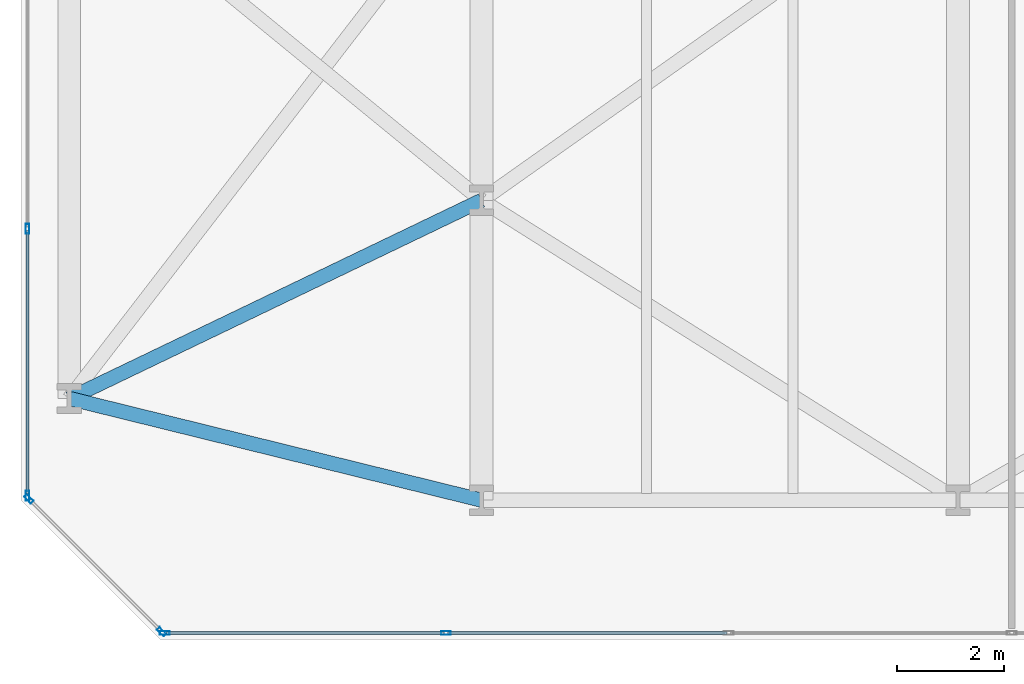
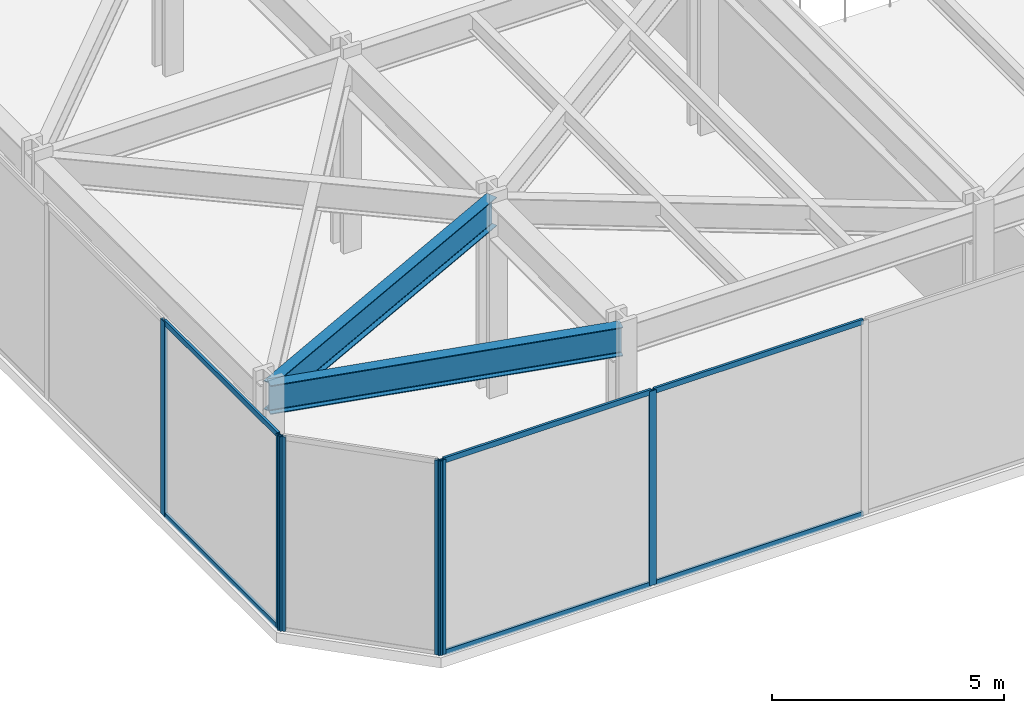
# One storey, part 2 of 29: 12 members, 2 beams, 3 elements without a shape of their own.
"""IFC4 building model written with IfcOpenShell, lengths in metres."""

from ifc_helpers import new_model, si_unit, direction, frame, origin, origin_2d, place, context, subcontext, project, spatial, hollow_rectangle, i_section, extrude, material, layer, layer_set, material_profile, profile_set, type_object, element, aggregate, save


model = new_model("IFC4")

# Units and contexts
model_context = context("Model", 3, precision=1e-05, world=origin(), true_north=direction((0.0, 1.0)))
body_context = subcontext(model_context, "Body", "Model", "MODEL_VIEW")
ifc_project = project(units=[si_unit("LENGTHUNIT", "METRE"), si_unit("AREAUNIT", "SQUARE_METRE"), si_unit("VOLUMEUNIT", "CUBIC_METRE"), si_unit("PLANEANGLEUNIT", "RADIAN"), si_unit("MASSUNIT", "GRAM", prefix="KILO")], contexts=[model_context])

# Site, building, storey
site_placement = place(None, origin())
site = spatial("IfcSite", under=ifc_project, at=site_placement, CompositionType="ELEMENT")
building_placement = place(site_placement, origin())
building = spatial("IfcBuilding", under=site, at=building_placement, Name="Kravanh Interchange Tower", CompositionType="ELEMENT")
storey_placement = place(building_placement, frame((0.0, 0.0, 5.39990234375)))
storey = spatial("IfcBuildingStorey", under=building, at=storey_placement, Name="L01", CompositionType="ELEMENT", Elevation=5.39990234375)

# Curtain wall, members
ifc_material_1 = material(Name="Anodised Bronze Aluminium", Category="aluminium")
ifc_layer = layer(ifc_material_1, 0.179931640625)
ifc_layer_set = layer_set([ifc_layer], Name="Unitised Curtain Wall System CW-POD Podium Concourse")
curtain_wall_type = type_object("IfcCurtainWallType", Name="Unitised Curtain Wall System CW-POD Podium Concourse", PredefinedType="NOTDEFINED", material=ifc_layer_set)
curtain_wall_1_placement = place(storey_placement, origin())
curtain_wall_1 = element("IfcCurtainWall", 1, at=curtain_wall_1_placement, inside=storey, type_object=curtain_wall_type, Name="L01 Unitised Curtain Wall CW-L01-01", PredefinedType="NOTDEFINED")
ifc_material_2 = material(Name="Anodised Bronze Aluminium", Category="aluminium")
ifc_material_profile_1 = material_profile(ifc_material_2, hollow_rectangle(XDim=0.070068359375, YDim=0.179931640625, WallThickness=0.00390625, at=origin_2d()), Name="ALU70X180X4")
ifc_profile_set_1 = profile_set([ifc_material_profile_1], Name="Anodised Bronze Aluminium")
member_type_1 = type_object("IfcMemberType", Name="Curtain Wall Mullion ALU70X180X4 Bronze", PredefinedType="MULLION", material=ifc_profile_set_1)
member_1_placement = place(storey_placement, frame((0.1201171875, 2.684814453125, 0.0), z_axis=(0.0, 0.0, 1.0), x_axis=(-1.0, 0.0, 0.0)))
member_1 = element("IfcMember", 2, at=member_1_placement, type_object=member_type_1, Name="CW-POD mullion 1", PredefinedType="MULLION", context=body_context, shape_type="SweptSolid", body=[
    extrude(hollow_rectangle(XDim=0.070068359375, YDim=0.179931640625, WallThickness=0.00390625, at=origin_2d()), origin(), (0.0, 0.0, 1.0), 5.130126953125),
])
member_2_placement = place(storey_placement, frame((0.1201171875, 7.671142578125, 0.0), z_axis=(0.0, 0.0, 1.0), x_axis=(-1.0, 0.0, 0.0)))
member_2 = element("IfcMember", 3, at=member_2_placement, type_object=member_type_1, Name="CW-POD mullion 2", PredefinedType="MULLION", context=body_context, shape_type="SweptSolid", body=[
    extrude(hollow_rectangle(XDim=0.070068359375, YDim=0.179931640625, WallThickness=0.00390625, at=origin_2d()), origin(), (0.0, 0.0, 1.0), 5.130126953125),
])

curtain_wall_2_placement = place(storey_placement, origin())
curtain_wall_2 = element("IfcCurtainWall", 4, at=curtain_wall_2_placement, inside=storey, type_object=curtain_wall_type, Name="L01 Unitised Curtain Wall CW-L01-04", PredefinedType="NOTDEFINED")
member_3_placement = place(storey_placement, frame((7.934326171875, 0.1201171875, 0.0), z_axis=(0.0, 0.0, 1.0), x_axis=(0.0, -1.0, 0.0)))
member_3 = element("IfcMember", 5, at=member_3_placement, type_object=member_type_1, Name="CW-POD mullion 13", PredefinedType="MULLION", context=body_context, shape_type="SweptSolid", body=[
    extrude(hollow_rectangle(XDim=0.070068359375, YDim=0.179931640625, WallThickness=0.00390625, at=origin_2d()), origin(), (0.0, 0.0, 1.0), 5.130126953125),
])
member_4_placement = place(storey_placement, frame((2.684814453125, 0.1201171875, 0.0), z_axis=(0.0, 0.0, 1.0), x_axis=(0.0, -1.0, 0.0)))
member_4 = element("IfcMember", 6, at=member_4_placement, type_object=member_type_1, Name="CW-POD mullion 14", PredefinedType="MULLION", context=body_context, shape_type="SweptSolid", body=[
    extrude(hollow_rectangle(XDim=0.070068359375, YDim=0.179931640625, WallThickness=0.00390625, at=origin_2d()), origin(), (0.0, 0.0, 1.0), 5.130126953125),
])

curtain_wall_3_placement = place(storey_placement, origin())
curtain_wall_3 = element("IfcCurtainWall", 7, at=curtain_wall_3_placement, inside=storey, type_object=curtain_wall_type, Name="L01 Unitised Curtain Wall CW-L01-05", PredefinedType="NOTDEFINED")
member_5_placement = place(storey_placement, frame((2.625, 0.144775390625, 0.0), z_axis=(0.0, 0.0, 1.0), x_axis=(-0.707106781187, -0.707106781187, 0.0)))
member_5 = element("IfcMember", 8, at=member_5_placement, type_object=member_type_1, Name="CW-POD mullion 1", PredefinedType="MULLION", context=body_context, shape_type="SweptSolid", body=[
    extrude(hollow_rectangle(XDim=0.070068359375, YDim=0.179931640625, WallThickness=0.00390625, at=origin_2d()), origin(), (0.0, 0.0, 1.0), 5.130126953125),
])
member_6_placement = place(storey_placement, frame((0.144775390625, 2.625, 0.0), z_axis=(0.0, 0.0, 1.0), x_axis=(-0.707106781187, -0.707106781187, 0.0)))
member_6 = element("IfcMember", 9, at=member_6_placement, type_object=member_type_1, Name="CW-POD mullion 2", PredefinedType="MULLION", context=body_context, shape_type="SweptSolid", body=[
    extrude(hollow_rectangle(XDim=0.070068359375, YDim=0.179931640625, WallThickness=0.00390625, at=origin_2d()), origin(), (0.0, 0.0, 1.0), 5.130126953125),
])
aggregate(curtain_wall_3, [member_5, member_6])

# Member
ifc_material_3 = material(Name="Anodised Bronze Aluminium", Category="aluminium")
ifc_material_profile_2 = material_profile(ifc_material_3, hollow_rectangle(XDim=0.06005859375, YDim=0.139892578125, WallThickness=0.00390625, at=origin_2d()), Name="ALU60X140X4")
ifc_profile_set_2 = profile_set([ifc_material_profile_2], Name="Anodised Bronze Aluminium")
member_type_2 = type_object("IfcMemberType", Name="Curtain Wall Transom ALU60X140X4 Bronze", PredefinedType="USERDEFINED", material=ifc_profile_set_2)
member_7_placement = place(storey_placement, frame((0.1201171875, 2.7197265625, 0.030029296875), z_axis=(0.0, 1.0, 0.0), x_axis=(-1.0, 0.0, 0.0)))
member_7 = element("IfcMember", 10, at=member_7_placement, type_object=member_type_2, Name="CW-POD transom 1.1", ObjectType="TRANSOM", PredefinedType="USERDEFINED", context=body_context, shape_type="SweptSolid", body=[
    extrude(hollow_rectangle(XDim=0.06005859375, YDim=0.139892578125, WallThickness=0.00390625, at=origin_2d()), origin(), (0.0, 0.0, 1.0), 4.91650390625),
])

member_8_placement = place(storey_placement, frame((0.1201171875, 2.7197265625, 5.10009765625), z_axis=(0.0, 1.0, 0.0), x_axis=(-1.0, 0.0, 0.0)))
member_8 = element("IfcMember", 11, at=member_8_placement, type_object=member_type_2, Name="CW-POD transom 1.2", ObjectType="TRANSOM", PredefinedType="USERDEFINED", context=body_context, shape_type="SweptSolid", body=[
    extrude(hollow_rectangle(XDim=0.06005859375, YDim=0.139892578125, WallThickness=0.00390625, at=origin_2d()), origin(), (0.0, 0.0, 1.0), 4.91650390625),
])

aggregate(curtain_wall_1, [member_1, member_2, member_7, member_8])

member_9_placement = place(storey_placement, frame((13.18408203125, 0.1201171875, 0.030029296875), z_axis=(-1.0, 0.0, 0.0), x_axis=(0.0, -1.0, 0.0)))
member_9 = element("IfcMember", 12, at=member_9_placement, type_object=member_type_2, Name="CW-POD transom 12.1", ObjectType="TRANSOM", PredefinedType="USERDEFINED", context=body_context, shape_type="SweptSolid", body=[
    extrude(hollow_rectangle(XDim=0.06005859375, YDim=0.139892578125, WallThickness=0.00390625, at=origin_2d()), origin(), (0.0, 0.0, 1.0), 5.214599609375),
])

member_10_placement = place(storey_placement, frame((13.18408203125, 0.1201171875, 5.10009765625), z_axis=(-1.0, 0.0, 0.0), x_axis=(0.0, -1.0, 0.0)))
member_10 = element("IfcMember", 13, at=member_10_placement, type_object=member_type_2, Name="CW-POD transom 12.2", ObjectType="TRANSOM", PredefinedType="USERDEFINED", context=body_context, shape_type="SweptSolid", body=[
    extrude(hollow_rectangle(XDim=0.06005859375, YDim=0.139892578125, WallThickness=0.00390625, at=origin_2d()), origin(), (0.0, 0.0, 1.0), 5.214599609375),
])

member_11_placement = place(storey_placement, frame((7.8994140625, 0.1201171875, 0.030029296875), z_axis=(-1.0, 0.0, 0.0), x_axis=(0.0, -1.0, 0.0)))
member_11 = element("IfcMember", 14, at=member_11_placement, type_object=member_type_2, Name="CW-POD transom 13.1", ObjectType="TRANSOM", PredefinedType="USERDEFINED", context=body_context, shape_type="SweptSolid", body=[
    extrude(hollow_rectangle(XDim=0.06005859375, YDim=0.139892578125, WallThickness=0.00390625, at=origin_2d()), origin(), (0.0, 0.0, 1.0), 5.1796875),
])

member_12_placement = place(storey_placement, frame((7.8994140625, 0.1201171875, 5.10009765625), z_axis=(-1.0, 0.0, 0.0), x_axis=(0.0, -1.0, 0.0)))
member_12 = element("IfcMember", 15, at=member_12_placement, type_object=member_type_2, Name="CW-POD transom 13.2", ObjectType="TRANSOM", PredefinedType="USERDEFINED", context=body_context, shape_type="SweptSolid", body=[
    extrude(hollow_rectangle(XDim=0.06005859375, YDim=0.139892578125, WallThickness=0.00390625, at=origin_2d()), origin(), (0.0, 0.0, 1.0), 5.1796875),
])

aggregate(curtain_wall_2, [member_3, member_4, member_9, member_10, member_11, member_12])

# Beams
ifc_material_4 = material(Name="Structural Steel S355", Category="steel")
ifc_material_profile_3 = material_profile(ifc_material_4, i_section(OverallWidth=0.26708984375, OverallDepth=0.761962890625, WebThickness=0.014404296875, FlangeThickness=0.021484375, FilletRadius=0.02490234375, at=origin_2d()), Name="W30X116")
ifc_profile_set_3 = profile_set([ifc_material_profile_3], Name="Structural Steel S355")
beam_type = type_object("IfcBeamType", Name="Floor Spandrel W30X116 Structural Steel S355", PredefinedType="SPANDREL", material=ifc_profile_set_3)
beam_1_placement = place(storey_placement, frame((8.60009765625, 2.60009765625, 4.7490234375), z_axis=(-0.970883936595, 0.239550373956, 0.0), x_axis=(-0.239550373956, -0.970883936595, 0.0)))
element("IfcBeam", 16, at=beam_1_placement, inside=storey, type_object=beam_type, Name="L01 Perimeter Spandrel 2", PredefinedType="SPANDREL", context=body_context, shape_type="SweptSolid", body=[
    extrude(i_section(OverallWidth=0.26708984375, OverallDepth=0.761962890625, WebThickness=0.014404296875, FlangeThickness=0.021484375, FilletRadius=0.02490234375, at=origin_2d()), origin(), (0.0, 0.0, 1.0), 7.93115234375),
])
beam_2_placement = place(storey_placement, frame((8.60009765625, 8.199951171875, 4.7490234375), z_axis=(-0.901346832937, -0.433098010563, 0.0), x_axis=(0.433098010563, -0.901346832937, 0.0)))
element("IfcBeam", 17, at=beam_2_placement, inside=storey, type_object=beam_type, Name="L01 Perimeter Spandrel 24", PredefinedType="SPANDREL", context=body_context, shape_type="SweptSolid", body=[
    extrude(i_section(OverallWidth=0.26708984375, OverallDepth=0.761962890625, WebThickness=0.014404296875, FlangeThickness=0.021484375, FilletRadius=0.02490234375, at=origin_2d()), origin(), (0.0, 0.0, 1.0), 8.54296875),
])

save(model, "model.ifc")
